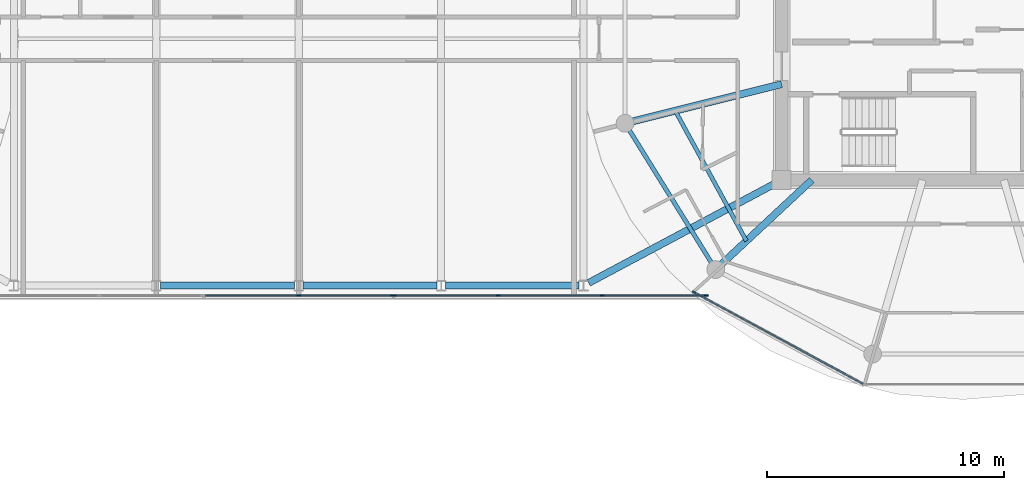
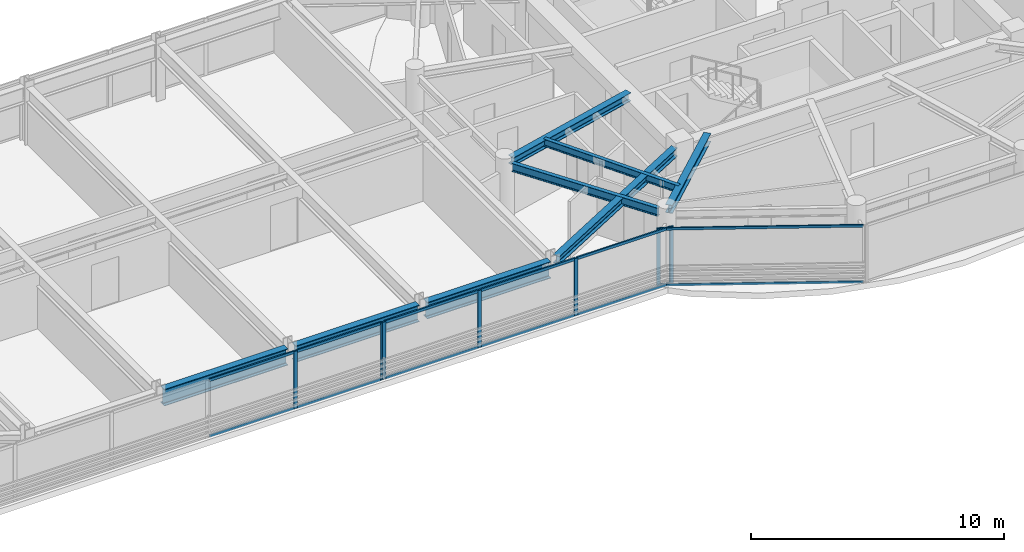
# One storey, part 6 of 23: 19 members, 8 beams, 3 elements without a shape of their own.
"""IFC4 building model written with IfcOpenShell, lengths in metres."""

from ifc_helpers import new_model, si_unit, direction, frame, origin, origin_2d, place, context, subcontext, project, spatial, rectangle, i_section, extrude, source, transform, mapped, material, layer, layer_set, material_profile, profile_set, type_object, type_shapes, element, aggregate, save


model = new_model("IFC4")

# Units and contexts
model_context = context("Model", 3, precision=1e-05, world=origin(), true_north=direction((0.0, 1.0)))
body_context = subcontext(model_context, "Body", "Model", "MODEL_VIEW")
ifc_project = project(units=[si_unit("LENGTHUNIT", "METRE"), si_unit("AREAUNIT", "SQUARE_METRE"), si_unit("VOLUMEUNIT", "CUBIC_METRE"), si_unit("PLANEANGLEUNIT", "RADIAN"), si_unit("MASSUNIT", "GRAM", prefix="KILO")], contexts=[model_context])

# Site, building, storey
site_placement = place(None, origin())
site = spatial("IfcSite", under=ifc_project, at=site_placement, CompositionType="ELEMENT")
building_placement = place(site_placement, origin())
building = spatial("IfcBuilding", under=site, at=building_placement, Name="Norrkilde Senior Care Towers", CompositionType="ELEMENT")
storey_placement = place(building_placement, frame((0.0, 0.0, 216.949951171875)))
storey = spatial("IfcBuildingStorey", under=building, at=storey_placement, Name="L67", CompositionType="ELEMENT", Elevation=216.949951171875)

# Beams
ifc_material_1 = material(Name="Steel S355", Category="steel")
ifc_material_profile_1 = material_profile(ifc_material_1, i_section(OverallWidth=0.179931640625, OverallDepth=0.39990234375, WebThickness=0.008544921875, FlangeThickness=0.013427734375, FilletRadius=0.02099609375, at=origin_2d()), Name="IPE 400")
ifc_profile_set_1 = profile_set([ifc_material_profile_1], Name="Steel S355")
beam_type_1 = type_object("IfcBeamType", Name="Perimeter Ring Spandrel Z4 IPE400", PredefinedType="SPANDREL", material=ifc_profile_set_1)
shared_shape_1 = source(origin(), body_context, "Body", "SweptSolid", [
    extrude(i_section(OverallWidth=0.179931640625, OverallDepth=0.39990234375, WebThickness=0.008544921875, FlangeThickness=0.013427734375, FilletRadius=0.02099609375, at=origin_2d()), origin(), (0.0, 0.0, 1.0), 6.58056640625),
])
type_shapes(beam_type_1, [shared_shape_1])
beam_1_placement = place(storey_placement, frame((13.928955078125, -3.843505859375, 2.56005859375), z_axis=(0.526529583789, -0.850156807533, 0.0), x_axis=(0.850156807533, 0.526529583789, 0.0)))
element("IfcBeam", 1, at=beam_1_placement, inside=storey, type_object=beam_type_1, Name="L67 Drum E Perimeter Spandrel 07", PredefinedType="SPANDREL", context=body_context, shape_type="MappedRepresentation", body=[
    mapped(shared_shape_1, transform((0.0, 0.0, 0.0), x_axis=(1.0, 0.0, 0.0), y_axis=(0.0, 1.0, 0.0), z_axis=(0.0, 0.0, 1.0), scale=1.0)),
])
ifc_material_profile_2 = material_profile(ifc_material_1, i_section(OverallWidth=0.300048828125, OverallDepth=0.39990234375, WebThickness=0.013427734375, FlangeThickness=0.02392578125, FilletRadius=0.027099609375, at=origin_2d()), Name="HEB 400")
ifc_profile_set_2 = profile_set([ifc_material_profile_2], Name="Steel S355")
beam_type_2 = type_object("IfcBeamType", Name="Radial Floor Beam Z4 HEB400", PredefinedType="BEAM", material=ifc_profile_set_2)
shared_shape_2 = source(origin(), body_context, "Body", "SweptSolid", [
    extrude(i_section(OverallWidth=0.300048828125, OverallDepth=0.39990234375, WebThickness=0.013427734375, FlangeThickness=0.02392578125, FilletRadius=0.027099609375, at=origin_2d()), origin(), (0.0, 0.0, 1.0), 6.465087890625),
])
beam_2_placement = place(storey_placement, frame((20.35009765625, -1.910888671875, 2.56005859375), z_axis=(-0.970195788563, -0.242322371758, 0.0), x_axis=(0.242322371758, -0.970195788563, 0.0)))
element("IfcBeam", 2, at=beam_2_placement, inside=storey, type_object=beam_type_2, Name="L67 Drum E Radial Floor Beam 07", PredefinedType="BEAM", context=body_context, shape_type="MappedRepresentation", body=[
    mapped(shared_shape_2, transform((0.0, 0.0, 0.0), x_axis=(1.0, 0.0, 0.0), y_axis=(0.0, 1.0, 0.0), z_axis=(0.0, 0.0, 1.0), scale=1.0)),
])
shared_shape_3 = source(origin(), body_context, "Body", "SweptSolid", [
    extrude(i_section(OverallWidth=0.300048828125, OverallDepth=0.39990234375, WebThickness=0.013427734375, FlangeThickness=0.02392578125, FilletRadius=0.027099609375, at=origin_2d()), origin(), (0.0, 0.0, 1.0), 5.197998046875),
])
beam_3_placement = place(storey_placement, frame((21.6171875, -5.949951171875, 2.56005859375), z_axis=(-0.731448749334, -0.681896419625, 0.0), x_axis=(0.681896419625, -0.731448749334, 0.0)))
element("IfcBeam", 3, at=beam_3_placement, inside=storey, type_object=beam_type_2, Name="L67 Drum E Radial Floor Beam 08", PredefinedType="BEAM", context=body_context, shape_type="MappedRepresentation", body=[
    mapped(shared_shape_3, transform((0.0, 0.0, 0.0), x_axis=(1.0, 0.0, 0.0), y_axis=(0.0, 1.0, 0.0), z_axis=(0.0, 0.0, 1.0), scale=1.0)),
])
ifc_material_profile_3 = material_profile(ifc_material_1, i_section(OverallWidth=0.169921875, OverallDepth=0.360107421875, WebThickness=0.008056640625, FlangeThickness=0.0126953125, FilletRadius=0.01806640625, at=origin_2d()), Name="IPE 360")
ifc_profile_set_3 = profile_set([ifc_material_profile_3], Name="Steel S355")
beam_type_3 = type_object("IfcBeamType", Name="Secondary Floor Joist IPE360", PredefinedType="JOIST", material=ifc_profile_set_3)
shared_shape_4 = source(origin(), body_context, "Body", "SweptSolid", [
    extrude(i_section(OverallWidth=0.169921875, OverallDepth=0.360107421875, WebThickness=0.008056640625, FlangeThickness=0.0126953125, FilletRadius=0.01806640625, at=origin_2d()), origin(), (0.0, 0.0, 1.0), 6.25146484375),
])
type_shapes(beam_type_3, [shared_shape_4])
beam_4_placement = place(storey_placement, frame((15.86376953125, -3.031494140625, 2.580078125), z_axis=(0.480115752653, -0.877205143655, 0.0), x_axis=(0.877205143655, 0.480115752653, 0.0)))
element("IfcBeam", 4, at=beam_4_placement, inside=storey, type_object=beam_type_3, Name="L67 Drum E Secondary Floor Joist 3", PredefinedType="JOIST", context=body_context, shape_type="MappedRepresentation", body=[
    mapped(shared_shape_4, transform((0.0, 0.0, 0.0), x_axis=(1.0, 0.0, 0.0), y_axis=(0.0, 1.0, 0.0), z_axis=(0.0, 0.0, 1.0), scale=1.0)),
])
shared_shape_5 = source(origin(), body_context, "Body", "SweptSolid", [
    extrude(i_section(OverallWidth=0.300048828125, OverallDepth=0.39990234375, WebThickness=0.013427734375, FlangeThickness=0.02392578125, FilletRadius=0.027099609375, at=origin_2d()), origin(), (0.0, 0.0, 1.0), 8.831787109375),
])
type_shapes(beam_type_2, [shared_shape_2, shared_shape_3, shared_shape_5])
beam_5_placement = place(storey_placement, frame((12.220703125, -10.282470703125, 2.56005859375), z_axis=(0.882492172381, 0.470327083727, 0.0), x_axis=(-0.470327083727, 0.882492172381, 0.0)))
element("IfcBeam", 5, at=beam_5_placement, inside=storey, type_object=beam_type_2, Name="L67 Sky-Gate Bridge Girder S6", PredefinedType="BEAM", context=body_context, shape_type="MappedRepresentation", body=[
    mapped(shared_shape_5, transform((0.0, 0.0, 0.0), x_axis=(1.0, 0.0, 0.0), y_axis=(0.0, 1.0, 0.0), z_axis=(0.0, 0.0, 1.0), scale=1.0)),
])
ifc_material_profile_4 = material_profile(ifc_material_1, i_section(OverallWidth=0.300048828125, OverallDepth=0.800048828125, WebThickness=0.017578125, FlangeThickness=0.032958984375, FilletRadius=0.030029296875, at=origin_2d()), Name="HEB 800")
ifc_profile_set_4 = profile_set([ifc_material_profile_4], Name="Steel S355")
beam_type_4 = type_object("IfcBeamType", Name="Bridge Floor Girder HEB800", PredefinedType="USERDEFINED", material=ifc_profile_set_4)
shared_shape_6 = source(origin(), body_context, "Body", "SweptSolid", [
    extrude(i_section(OverallWidth=0.300048828125, OverallDepth=0.800048828125, WebThickness=0.017578125, FlangeThickness=0.032958984375, FilletRadius=0.030029296875, at=origin_2d()), origin(), (0.0, 0.0, 1.0), 5.64013671875),
])
type_shapes(beam_type_4, [shared_shape_6])
for number, where, z_axis, x_axis, name in (
    (6, (-5.820068359375, -10.39990234375, 2.360107421875), (1.0, 0.0, 0.0), (0.0, 1.0, 0.0), "L67 Sky-Gate Bridge Girder S3"),
    (7, (0.179931640625, -10.39990234375, 2.360107421875), (1.0, 0.0, 0.0), (0.0, 1.0, 0.0), "L67 Sky-Gate Bridge Girder S4"),
    (8, (6.179931640625, -10.39990234375, 2.360107421875), (1.0, 0.0, 0.0), (0.0, 1.0, 0.0), "L67 Sky-Gate Bridge Girder S5"),
):
    element("IfcBeam", number, at=place(storey_placement, frame(where, z_axis=z_axis, x_axis=x_axis)), inside=storey, type_object=beam_type_4, Name=name, ObjectType="GIRDER", PredefinedType="USERDEFINED", context=body_context, shape_type="MappedRepresentation", body=[
        mapped(shared_shape_6, transform((0.0, 0.0, 0.0), x_axis=(1.0, 0.0, 0.0), y_axis=(0.0, 1.0, 0.0), z_axis=(0.0, 0.0, 1.0), scale=1.0)),
    ])

# Curtain wall, members
ifc_material_2 = material(Name="Triple Low-E Insulated Glazing", Category="glass")
ifc_layer_1 = layer(ifc_material_2, 0.18505859375)
ifc_layer_set_1 = layer_set([ifc_layer_1], Name="Triple Low-E Insulated Glazing")
curtain_wall_type_1 = type_object("IfcCurtainWallType", Name="CW6 Zone 4 Crown Pavilion Curtain Wall", PredefinedType="NOTDEFINED", material=ifc_layer_set_1)
curtain_wall_1_placement = place(storey_placement, origin())
curtain_wall_1 = element("IfcCurtainWall", 9, at=curtain_wall_1_placement, inside=storey, type_object=curtain_wall_type_1, Name="L67 Drum E Curtain Wall 07", PredefinedType="NOTDEFINED")
ifc_material_3 = material(Name="Anodised Aluminium", Category="aluminium")
ifc_material_profile_5 = material_profile(ifc_material_3, rectangle(XDim=0.06005859375, YDim=0.1201171875, at=origin_2d()), Name="ALU TRAN 60x120")
ifc_profile_set_5 = profile_set([ifc_material_profile_5], Name="Anodised Aluminium")
member_type_1 = type_object("IfcMemberType", Name="Curtain Wall Transom Typical 60x120", PredefinedType="USERDEFINED", material=ifc_profile_set_5)
shared_shape_7 = source(origin(), body_context, "Body", "SweptSolid", [
    extrude(rectangle(XDim=0.06005859375, YDim=0.1201171875, at=origin_2d()), origin(), (0.0, 0.0, 1.0), 8.0673828125),
])
type_shapes(member_type_1, [shared_shape_7])
member_1_placement = place(storey_placement, frame((23.781005859375, -14.53515625, 0.030029296875), z_axis=(-0.87937750072, 0.476125205411, 0.0), x_axis=(-0.476125205411, -0.87937750072, 0.0)))
member_1 = element("IfcMember", 10, at=member_1_placement, type_object=member_type_1, Name="CW-6 transom 1.1", ObjectType="TRANSOM", PredefinedType="USERDEFINED", context=body_context, shape_type="MappedRepresentation", body=[
    mapped(shared_shape_7, transform((0.0, 0.0, 0.0), x_axis=(1.0, 0.0, 0.0), y_axis=(0.0, 1.0, 0.0), z_axis=(0.0, 0.0, 1.0), scale=1.0)),
])
member_2_placement = place(storey_placement, frame((23.781005859375, -14.53515625, 2.72998046875), z_axis=(-0.87937750072, 0.476125205411, 0.0), x_axis=(-0.476125205411, -0.87937750072, 0.0)))
member_2 = element("IfcMember", 11, at=member_2_placement, type_object=member_type_1, Name="CW-6 transom 1.2", ObjectType="TRANSOM", PredefinedType="USERDEFINED", context=body_context, shape_type="MappedRepresentation", body=[
    mapped(shared_shape_7, transform((0.0, 0.0, 0.0), x_axis=(1.0, 0.0, 0.0), y_axis=(0.0, 1.0, 0.0), z_axis=(0.0, 0.0, 1.0), scale=1.0)),
])
ifc_material_profile_6 = material_profile(ifc_material_3, rectangle(XDim=0.06494140625, YDim=0.14990234375, at=origin_2d()), Name="ALU MULL 65x150")
ifc_profile_set_6 = profile_set([ifc_material_profile_6], Name="Anodised Aluminium")
member_type_2 = type_object("IfcMemberType", Name="Curtain Wall Mullion Z3-Z4 65x150", PredefinedType="MULLION", material=ifc_profile_set_6)
shared_shape_8 = source(origin(), body_context, "Body", "SweptSolid", [
    extrude(rectangle(XDim=0.06494140625, YDim=0.14990234375, at=origin_2d()), origin(), (0.0, 0.0, 1.0), 2.760009765625),
])
type_shapes(member_type_2, [shared_shape_8])
member_3_placement = place(storey_placement, frame((16.658203125, -10.6787109375, 0.0), z_axis=(0.0, 0.0, 1.0), x_axis=(-0.476132676136, -0.879373455772, 0.0)))
member_3 = element("IfcMember", 12, at=member_3_placement, type_object=member_type_2, Name="CW-6 mullion 2", PredefinedType="MULLION", context=body_context, shape_type="MappedRepresentation", body=[
    mapped(shared_shape_8, transform((0.0, 0.0, 0.0), x_axis=(1.0, 0.0, 0.0), y_axis=(0.0, 1.0, 0.0), z_axis=(0.0, 0.0, 1.0), scale=1.0)),
])
aggregate(curtain_wall_1, [member_3, member_1, member_2])

ifc_layer_2 = layer(ifc_material_2, 0.2099609375)
ifc_layer_set_2 = layer_set([ifc_layer_2], Name="Triple Low-E Insulated Glazing")
curtain_wall_type_2 = type_object("IfcCurtainWallType", Name="CW5 Sky-Gate Bridge Curtain Wall", PredefinedType="NOTDEFINED", material=ifc_layer_set_2)
curtain_wall_2_placement = place(storey_placement, origin())
curtain_wall_2 = element("IfcCurtainWall", 13, at=curtain_wall_2_placement, inside=storey, type_object=curtain_wall_type_2, Name="L67 Sky-Gate Bridge South Curtain Wall 1", PredefinedType="NOTDEFINED")
ifc_material_profile_7 = material_profile(ifc_material_3, rectangle(XDim=0.06494140625, YDim=0.1298828125, at=origin_2d()), Name="ALU TRAN 65x130")
ifc_profile_set_7 = profile_set([ifc_material_profile_7], Name="Anodised Aluminium")
member_type_3 = type_object("IfcMemberType", Name="Curtain Wall Transom Heavy 65x130", PredefinedType="USERDEFINED", material=ifc_profile_set_7)
shared_shape_9 = source(origin(), body_context, "Body", "SweptSolid", [
    extrude(rectangle(XDim=0.06494140625, YDim=0.1298828125, at=origin_2d()), origin(), (0.0, 0.0, 1.0), 4.294921875),
])
member_4_placement = place(storey_placement, frame((17.1298828125, -10.820068359375, 0.032470703125), z_axis=(-1.0, 0.0, 0.0), x_axis=(0.0, -1.0, 0.0)))
member_4 = element("IfcMember", 14, at=member_4_placement, type_object=member_type_3, Name="CW-5 transom 1.1", ObjectType="TRANSOM", PredefinedType="USERDEFINED", context=body_context, shape_type="MappedRepresentation", body=[
    mapped(shared_shape_9, transform((0.0, 0.0, 0.0), x_axis=(1.0, 0.0, 0.0), y_axis=(0.0, 1.0, 0.0), z_axis=(0.0, 0.0, 1.0), scale=1.0)),
])
member_5_placement = place(storey_placement, frame((17.1298828125, -10.820068359375, 2.7275390625), z_axis=(-1.0, 0.0, 0.0), x_axis=(0.0, -1.0, 0.0)))
member_5 = element("IfcMember", 15, at=member_5_placement, type_object=member_type_3, Name="CW-5 transom 1.2", ObjectType="TRANSOM", PredefinedType="USERDEFINED", context=body_context, shape_type="MappedRepresentation", body=[
    mapped(shared_shape_9, transform((0.0, 0.0, 0.0), x_axis=(1.0, 0.0, 0.0), y_axis=(0.0, 1.0, 0.0), z_axis=(0.0, 0.0, 1.0), scale=1.0)),
])
member_6_placement = place(storey_placement, frame((8.364990234375, -10.820068359375, 0.032470703125), z_axis=(-1.0, 0.0, 0.0), x_axis=(0.0, -1.0, 0.0)))
member_6 = element("IfcMember", 16, at=member_6_placement, type_object=member_type_3, Name="CW-5 transom 3.1", ObjectType="TRANSOM", PredefinedType="USERDEFINED", context=body_context, shape_type="MappedRepresentation", body=[
    mapped(shared_shape_9, transform((0.0, 0.0, 0.0), x_axis=(1.0, 0.0, 0.0), y_axis=(0.0, 1.0, 0.0), z_axis=(0.0, 0.0, 1.0), scale=1.0)),
])
member_7_placement = place(storey_placement, frame((8.364990234375, -10.820068359375, 2.7275390625), z_axis=(-1.0, 0.0, 0.0), x_axis=(0.0, -1.0, 0.0)))
member_7 = element("IfcMember", 17, at=member_7_placement, type_object=member_type_3, Name="CW-5 transom 3.2", ObjectType="TRANSOM", PredefinedType="USERDEFINED", context=body_context, shape_type="MappedRepresentation", body=[
    mapped(shared_shape_9, transform((0.0, 0.0, 0.0), x_axis=(1.0, 0.0, 0.0), y_axis=(0.0, 1.0, 0.0), z_axis=(0.0, 0.0, 1.0), scale=1.0)),
])
shared_shape_10 = source(origin(), body_context, "Body", "SweptSolid", [
    extrude(rectangle(XDim=0.06494140625, YDim=0.1298828125, at=origin_2d()), origin(), (0.0, 0.0, 1.0), 4.329833984375),
])
member_8_placement = place(storey_placement, frame((12.764892578125, -10.820068359375, 0.032470703125), z_axis=(-1.0, 0.0, 0.0), x_axis=(0.0, -1.0, 0.0)))
member_8 = element("IfcMember", 18, at=member_8_placement, type_object=member_type_3, Name="CW-5 transom 2.1", ObjectType="TRANSOM", PredefinedType="USERDEFINED", context=body_context, shape_type="MappedRepresentation", body=[
    mapped(shared_shape_10, transform((0.0, 0.0, 0.0), x_axis=(1.0, 0.0, 0.0), y_axis=(0.0, 1.0, 0.0), z_axis=(0.0, 0.0, 1.0), scale=1.0)),
])
member_9_placement = place(storey_placement, frame((12.764892578125, -10.820068359375, 2.7275390625), z_axis=(-1.0, 0.0, 0.0), x_axis=(0.0, -1.0, 0.0)))
member_9 = element("IfcMember", 19, at=member_9_placement, type_object=member_type_3, Name="CW-5 transom 2.2", ObjectType="TRANSOM", PredefinedType="USERDEFINED", context=body_context, shape_type="MappedRepresentation", body=[
    mapped(shared_shape_10, transform((0.0, 0.0, 0.0), x_axis=(1.0, 0.0, 0.0), y_axis=(0.0, 1.0, 0.0), z_axis=(0.0, 0.0, 1.0), scale=1.0)),
])

curtain_wall_3_placement = place(storey_placement, origin())
curtain_wall_3 = element("IfcCurtainWall", 20, at=curtain_wall_3_placement, inside=storey, type_object=curtain_wall_type_2, Name="L67 Sky-Gate Bridge South Curtain Wall 2", PredefinedType="NOTDEFINED")
shared_shape_11 = source(origin(), body_context, "Body", "SweptSolid", [
    extrude(rectangle(XDim=0.06494140625, YDim=0.1298828125, at=origin_2d()), origin(), (0.0, 0.0, 1.0), 3.89501953125),
])
type_shapes(member_type_3, [shared_shape_9, shared_shape_10, shared_shape_11])
member_10_placement = place(storey_placement, frame((3.929931640625, -10.820068359375, 0.032470703125), z_axis=(-1.0, 0.0, 0.0), x_axis=(0.0, -1.0, 0.0)))
member_10 = element("IfcMember", 21, at=member_10_placement, type_object=member_type_3, Name="CW-5 transom 1.1", ObjectType="TRANSOM", PredefinedType="USERDEFINED", context=body_context, shape_type="MappedRepresentation", body=[
    mapped(shared_shape_11, transform((0.0, 0.0, 0.0), x_axis=(1.0, 0.0, 0.0), y_axis=(0.0, 1.0, 0.0), z_axis=(0.0, 0.0, 1.0), scale=1.0)),
])
member_11_placement = place(storey_placement, frame((3.929931640625, -10.820068359375, 2.7275390625), z_axis=(-1.0, 0.0, 0.0), x_axis=(0.0, -1.0, 0.0)))
member_11 = element("IfcMember", 22, at=member_11_placement, type_object=member_type_3, Name="CW-5 transom 1.2", ObjectType="TRANSOM", PredefinedType="USERDEFINED", context=body_context, shape_type="MappedRepresentation", body=[
    mapped(shared_shape_11, transform((0.0, 0.0, 0.0), x_axis=(1.0, 0.0, 0.0), y_axis=(0.0, 1.0, 0.0), z_axis=(0.0, 0.0, 1.0), scale=1.0)),
])
member_12_placement = place(storey_placement, frame((-0.034912109375, -10.820068359375, 0.032470703125), z_axis=(-1.0, 0.0, 0.0), x_axis=(0.0, -1.0, 0.0)))
member_12 = element("IfcMember", 23, at=member_12_placement, type_object=member_type_3, Name="CW-5 transom 2.1", ObjectType="TRANSOM", PredefinedType="USERDEFINED", context=body_context, shape_type="MappedRepresentation", body=[
    mapped(shared_shape_11, transform((0.0, 0.0, 0.0), x_axis=(1.0, 0.0, 0.0), y_axis=(0.0, 1.0, 0.0), z_axis=(0.0, 0.0, 1.0), scale=1.0)),
])
member_13_placement = place(storey_placement, frame((-0.034912109375, -10.820068359375, 2.7275390625), z_axis=(-1.0, 0.0, 0.0), x_axis=(0.0, -1.0, 0.0)))
member_13 = element("IfcMember", 24, at=member_13_placement, type_object=member_type_3, Name="CW-5 transom 2.2", ObjectType="TRANSOM", PredefinedType="USERDEFINED", context=body_context, shape_type="MappedRepresentation", body=[
    mapped(shared_shape_11, transform((0.0, 0.0, 0.0), x_axis=(1.0, 0.0, 0.0), y_axis=(0.0, 1.0, 0.0), z_axis=(0.0, 0.0, 1.0), scale=1.0)),
])

# Member
ifc_material_profile_8 = material_profile(ifc_material_3, rectangle(XDim=0.070068359375, YDim=0.169921875, at=origin_2d()), Name="ALU MULL 70x170")
ifc_profile_set_8 = profile_set([ifc_material_profile_8], Name="Anodised Aluminium")
member_type_4 = type_object("IfcMemberType", Name="Curtain Wall Mullion Heavy 70x170", PredefinedType="MULLION", material=ifc_profile_set_8)
shared_shape_12 = source(origin(), body_context, "Body", "SweptSolid", [
    extrude(rectangle(XDim=0.070068359375, YDim=0.169921875, at=origin_2d()), origin(), (0.0, 0.0, 1.0), 2.760009765625),
])
type_shapes(member_type_4, [shared_shape_12])
member_14_placement = place(storey_placement, frame((17.1650390625, -10.820068359375, 0.0), z_axis=(0.0, 0.0, 1.0), x_axis=(0.0, -1.0, 0.0)))
member_14 = element("IfcMember", 25, at=member_14_placement, type_object=member_type_4, Name="CW-5 mullion 1", PredefinedType="MULLION", context=body_context, shape_type="MappedRepresentation", body=[
    mapped(shared_shape_12, transform((0.0, 0.0, 0.0), x_axis=(1.0, 0.0, 0.0), y_axis=(0.0, 1.0, 0.0), z_axis=(0.0, 0.0, 1.0), scale=1.0)),
])

member_15_placement = place(storey_placement, frame((12.800048828125, -10.820068359375, 0.0), z_axis=(0.0, 0.0, 1.0), x_axis=(0.0, -1.0, 0.0)))
member_15 = element("IfcMember", 26, at=member_15_placement, type_object=member_type_4, Name="CW-5 mullion 2", PredefinedType="MULLION", context=body_context, shape_type="MappedRepresentation", body=[
    mapped(shared_shape_12, transform((0.0, 0.0, 0.0), x_axis=(1.0, 0.0, 0.0), y_axis=(0.0, 1.0, 0.0), z_axis=(0.0, 0.0, 1.0), scale=1.0)),
])

member_16_placement = place(storey_placement, frame((8.39990234375, -10.820068359375, 0.0), z_axis=(0.0, 0.0, 1.0), x_axis=(0.0, -1.0, 0.0)))
member_16 = element("IfcMember", 27, at=member_16_placement, type_object=member_type_4, Name="CW-5 mullion 3", PredefinedType="MULLION", context=body_context, shape_type="MappedRepresentation", body=[
    mapped(shared_shape_12, transform((0.0, 0.0, 0.0), x_axis=(1.0, 0.0, 0.0), y_axis=(0.0, 1.0, 0.0), z_axis=(0.0, 0.0, 1.0), scale=1.0)),
])

member_17_placement = place(storey_placement, frame((4.034912109375, -10.820068359375, 0.0), z_axis=(0.0, 0.0, 1.0), x_axis=(0.0, -1.0, 0.0)))
member_17 = element("IfcMember", 28, at=member_17_placement, type_object=member_type_4, Name="CW-5 mullion 4", PredefinedType="MULLION", context=body_context, shape_type="MappedRepresentation", body=[
    mapped(shared_shape_12, transform((0.0, 0.0, 0.0), x_axis=(1.0, 0.0, 0.0), y_axis=(0.0, 1.0, 0.0), z_axis=(0.0, 0.0, 1.0), scale=1.0)),
])

aggregate(curtain_wall_2, [member_14, member_15, member_16, member_17, member_4, member_5, member_8, member_9, member_6, member_7])

member_18_placement = place(storey_placement, frame((3.965087890625, -10.820068359375, 0.0), z_axis=(0.0, 0.0, 1.0), x_axis=(0.0, -1.0, 0.0)))
member_18 = element("IfcMember", 29, at=member_18_placement, type_object=member_type_4, Name="CW-5 mullion 1", PredefinedType="MULLION", context=body_context, shape_type="MappedRepresentation", body=[
    mapped(shared_shape_12, transform((0.0, 0.0, 0.0), x_axis=(1.0, 0.0, 0.0), y_axis=(0.0, 1.0, 0.0), z_axis=(0.0, 0.0, 1.0), scale=1.0)),
])

member_19_placement = place(storey_placement, frame((0.0, -10.820068359375, 0.0), z_axis=(0.0, 0.0, 1.0), x_axis=(0.0, -1.0, 0.0)))
member_19 = element("IfcMember", 30, at=member_19_placement, type_object=member_type_4, Name="CW-5 mullion 2", PredefinedType="MULLION", context=body_context, shape_type="MappedRepresentation", body=[
    mapped(shared_shape_12, transform((0.0, 0.0, 0.0), x_axis=(1.0, 0.0, 0.0), y_axis=(0.0, 1.0, 0.0), z_axis=(0.0, 0.0, 1.0), scale=1.0)),
])

aggregate(curtain_wall_3, [member_18, member_19, member_10, member_11, member_12, member_13])

save(model, "model.ifc")
